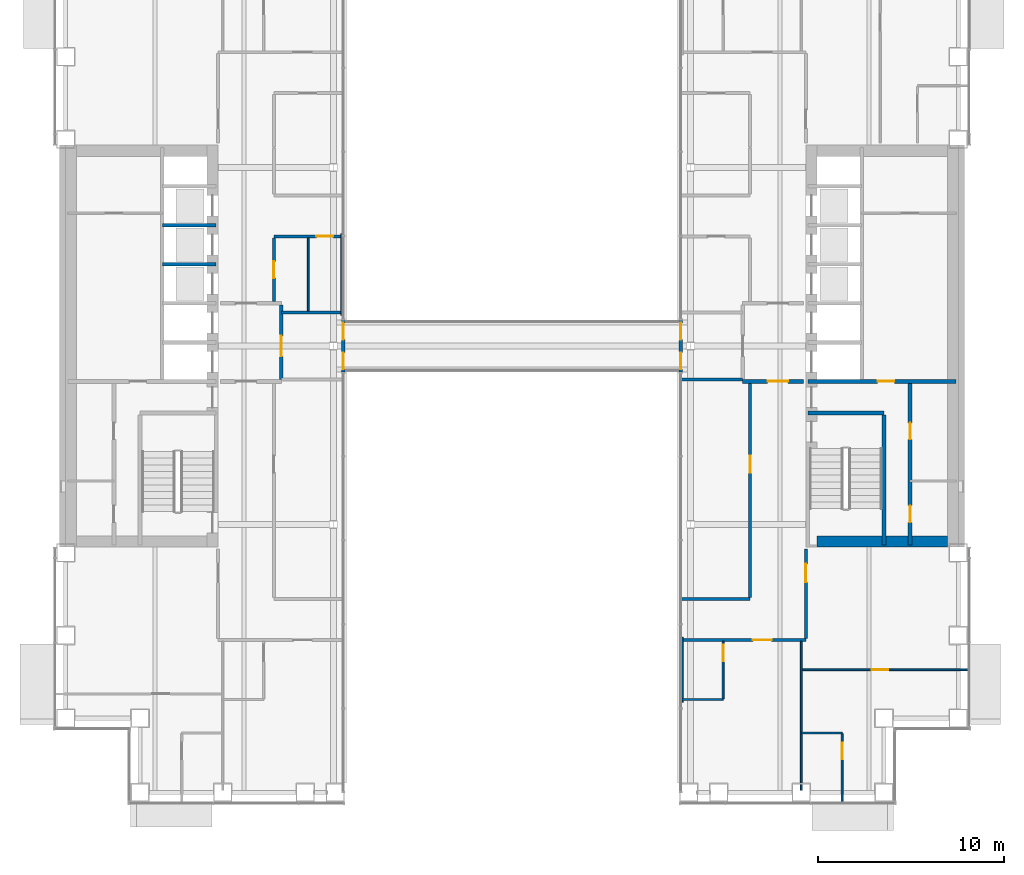
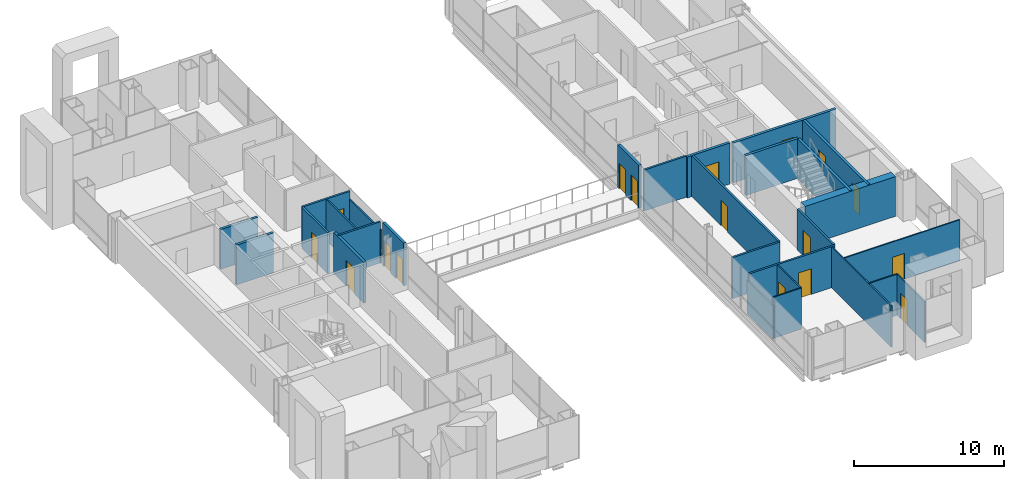
# One storey, part 15 of 21: 28 walls, 17 doors, 17 openings.
"""IFC4 building model written with IfcOpenShell, lengths in metres."""

from ifc_helpers import new_model, si_unit, direction, frame, frame_2d, origin, place, context, subcontext, project, spatial, rectangle, extrude, material, layer, layer_set, type_object, element, fill, save


model = new_model("IFC4")

# Units and contexts
model_context = context("Model", 3, precision=1e-05, world=origin(), true_north=direction((0.0, 1.0)))
body_context = subcontext(model_context, "Body", "Model", "MODEL_VIEW")
ifc_project = project(units=[si_unit("LENGTHUNIT", "METRE"), si_unit("AREAUNIT", "SQUARE_METRE"), si_unit("VOLUMEUNIT", "CUBIC_METRE"), si_unit("PLANEANGLEUNIT", "RADIAN"), si_unit("MASSUNIT", "GRAM", prefix="KILO")], contexts=[model_context])

# Site, building, storey
site_placement = place(None, origin())
site = spatial("IfcSite", under=ifc_project, at=site_placement, CompositionType="ELEMENT")
building_placement = place(site_placement, origin())
building = spatial("IfcBuilding", under=site, at=building_placement, Name="Cobrizo Arcos Hotel Tower", CompositionType="ELEMENT")
storey_placement = place(building_placement, frame((0.0, 0.0, 74.0)))
storey = spatial("IfcBuildingStorey", under=building, at=storey_placement, Name="L17", CompositionType="ELEMENT", Elevation=74.0)

# Wall, opening, door
ifc_material_1 = material(Name="Gypsum board partition")
ifc_layer_1 = layer(ifc_material_1, 0.14990234375)
ifc_layer_set_1 = layer_set([ifc_layer_1], Name="Corridor wall EI 60 150")
wall_type_1 = type_object("IfcWallType", Name="Corridor wall EI 60 150", PredefinedType="PARTITIONING", material=ifc_layer_set_1)
wall_1_placement = place(storey_placement, frame((9.14990234375, -15.800048828125, 0.0), z_axis=(0.0, 0.0, 1.0), x_axis=(1.0, 0.0, 0.0)))
wall_1 = element("IfcWall", 1, at=wall_1_placement, inside=storey, type_object=wall_type_1, Name="Partition 008", PredefinedType="PARTITIONING", context=body_context, shape_type="SweptSolid", body=[
    extrude(rectangle(XDim=6.650146484375, YDim=0.14990234375, at=frame_2d((3.3251953125, 0.0))), origin(), (0.0, 0.0, 1.0), 3.35009765625),
])
opening_1_placement = place(wall_1_placement, frame((3.802978515625, 0.0, 0.0)))
opening_1 = element("IfcOpeningElement", 2, at=opening_1_placement, cuts=wall_1, Name="Opening GD-03", PredefinedType="OPENING", context=body_context, shape_type="SweptSolid", body=[
    extrude(rectangle(XDim=1.0, YDim=2.10009765625, at=frame_2d((0.5, 1.050048828125))), frame((0.0, 0.0869140625, 0.0), z_axis=(0.0, -1.0, 0.0), x_axis=(1.0, 0.0, 0.0)), (0.0, 0.0, 1.0), 0.173828125),
])
ifc_material_2 = material(Name="Timber door leaf", Category="wood")
door_type_1 = type_object("IfcDoorType", Name="Guest room door FD30S 1000x2100", OperationType="SINGLE_SWING_LEFT", PredefinedType="DOOR", material=ifc_material_2)
door_1_placement = place(opening_1_placement, origin())
door_1 = element("IfcDoor", 3, at=door_1_placement, inside=storey, type_object=door_type_1, Name="Door GD-03", OperationType="SINGLE_SWING_LEFT", OverallHeight=2.10009765625, OverallWidth=1.0, PredefinedType="DOOR", context=body_context, shape_type="SweptSolid", body=[
    extrude(rectangle(XDim=1.0, YDim=2.10009765625, at=frame_2d((0.5, 1.050048828125))), frame((0.0, 0.02490234375, 0.0), z_axis=(0.0, -1.0, 0.0), x_axis=(1.0, 0.0, 0.0)), (0.0, 0.0, 1.0), 0.050048828125),
])
fill(opening_1, door_1)

# Walls
wall_2_placement = place(storey_placement, frame((9.1201171875, -13.60009765625, 0.0), z_axis=(0.0, 0.0, 1.0), x_axis=(1.0, 0.0, 0.0)))
element("IfcWall", 4, at=wall_2_placement, inside=storey, type_object=wall_type_1, Name="Partition 010", PredefinedType="PARTITIONING", context=body_context, shape_type="SweptSolid", body=[
    extrude(rectangle(XDim=3.679931640625, YDim=0.14990234375, at=frame_2d((1.83984375, 0.0))), origin(), (0.0, 0.0, 1.0), 3.35009765625),
])
wall_3_placement = place(storey_placement, frame((9.1201171875, -1.800048828125, 0.0), z_axis=(0.0, 0.0, 1.0), x_axis=(1.0, 0.0, 0.0)))
element("IfcWall", 5, at=wall_3_placement, inside=storey, type_object=wall_type_1, Name="Partition 020", PredefinedType="PARTITIONING", context=body_context, shape_type="SweptSolid", body=[
    extrude(rectangle(XDim=3.27978515625, YDim=0.14990234375, at=frame_2d((1.639892578125, 0.0))), origin(), (0.0, 0.0, 1.0), 3.35009765625),
])
wall_4_placement = place(storey_placement, frame((-12.39990234375, 1.800048828125, 0.0), z_axis=(0.0, 0.0, 1.0), x_axis=(1.0, 0.0, 0.0)))
element("IfcWall", 6, at=wall_4_placement, inside=storey, type_object=wall_type_1, Name="Partition 023", PredefinedType="PARTITIONING", context=body_context, shape_type="SweptSolid", body=[
    extrude(rectangle(XDim=3.25, YDim=0.14990234375, at=frame_2d((1.625, 0.0))), origin(), (0.0, 0.0, 1.0), 3.35009765625),
])

# Wall, opening, door
wall_5_placement = place(storey_placement, frame((-12.800048828125, 5.89990234375, 0.0), z_axis=(0.0, 0.0, 1.0), x_axis=(1.0, 0.0, 0.0)))
wall_5 = element("IfcWall", 7, at=wall_5_placement, inside=storey, type_object=wall_type_1, Name="Partition 031", PredefinedType="PARTITIONING", context=body_context, shape_type="SweptSolid", body=[
    extrude(rectangle(XDim=3.650146484375, YDim=0.14990234375, at=frame_2d((1.8251953125, 0.0))), origin(), (0.0, 0.0, 1.0), 3.35009765625),
])
opening_2_placement = place(wall_5_placement, frame((2.2880859375, 0.0, 0.0)))
opening_2 = element("IfcOpeningElement", 8, at=opening_2_placement, cuts=wall_5, Name="Opening ED-10", PredefinedType="OPENING", context=body_context, shape_type="SweptSolid", body=[
    extrude(rectangle(XDim=0.89990234375, YDim=2.10009765625, at=frame_2d((0.449951171875, 1.050048828125))), frame((0.0, 0.0869140625, 0.0), z_axis=(0.0, -1.0, 0.0), x_axis=(1.0, 0.0, 0.0)), (0.0, 0.0, 1.0), 0.173828125),
])
door_type_2 = type_object("IfcDoorType", Name="En-suite door 900x2100", OperationType="SINGLE_SWING_LEFT", PredefinedType="DOOR", material=ifc_material_2)
door_2_placement = place(opening_2_placement, origin())
door_2 = element("IfcDoor", 9, at=door_2_placement, inside=storey, type_object=door_type_2, Name="Door ED-10", OperationType="SINGLE_SWING_LEFT", OverallHeight=2.10009765625, OverallWidth=0.89990234375, PredefinedType="DOOR", context=body_context, shape_type="SweptSolid", body=[
    extrude(rectangle(XDim=0.89990234375, YDim=2.10009765625, at=frame_2d((0.449951171875, 1.050048828125))), frame((0.0, 0.02490234375, 0.0), z_axis=(0.0, -1.0, 0.0), x_axis=(1.0, 0.0, 0.0)), (0.0, 0.0, 1.0), 0.050048828125),
])
fill(opening_2, door_2)

wall_6_placement = place(storey_placement, frame((-12.800048828125, 2.39990234375, 0.0), z_axis=(0.0, 0.0, 1.0), x_axis=(0.0, 1.0, 0.0)))
wall_6 = element("IfcWall", 10, at=wall_6_placement, inside=storey, type_object=wall_type_1, Name="Partition 062", PredefinedType="PARTITIONING", context=body_context, shape_type="SweptSolid", body=[
    extrude(rectangle(XDim=3.425048828125, YDim=0.14990234375, at=frame_2d((1.71240234375, 0.0))), origin(), (0.0, 0.0, 1.0), 3.35009765625),
])
opening_3_placement = place(wall_6_placement, frame((1.25, 0.0, 0.0)))
opening_3 = element("IfcOpeningElement", 11, at=opening_3_placement, cuts=wall_6, Name="Opening ED-09", PredefinedType="OPENING", context=body_context, shape_type="SweptSolid", body=[
    extrude(rectangle(XDim=0.89990234375, YDim=2.10009765625, at=frame_2d((0.449951171875, 1.050048828125))), frame((0.0, 0.0869140625, 0.0), z_axis=(0.0, -1.0, 0.0), x_axis=(1.0, 0.0, 0.0)), (0.0, 0.0, 1.0), 0.173828125),
])
door_3_placement = place(opening_3_placement, origin())
door_3 = element("IfcDoor", 12, at=door_3_placement, inside=storey, type_object=door_type_2, Name="Door ED-09", OperationType="SINGLE_SWING_RIGHT", OverallHeight=2.10009765625, OverallWidth=0.89990234375, PredefinedType="DOOR", context=body_context, shape_type="SweptSolid", body=[
    extrude(rectangle(XDim=0.89990234375, YDim=2.10009765625, at=frame_2d((0.449951171875, 1.050048828125))), frame((0.0, 0.02490234375, 0.0), z_axis=(0.0, -1.0, 0.0), x_axis=(1.0, 0.0, 0.0)), (0.0, 0.0, 1.0), 0.050048828125),
])
fill(opening_3, door_3)

wall_7_placement = place(storey_placement, frame((12.800048828125, -13.52490234375, 0.0), z_axis=(0.0, 0.0, 1.0), x_axis=(0.0, 1.0, 0.0)))
wall_7 = element("IfcWall", 13, at=wall_7_placement, inside=storey, type_object=wall_type_1, Name="Partition 073", PredefinedType="PARTITIONING", context=body_context, shape_type="SweptSolid", body=[
    extrude(rectangle(XDim=11.52490234375, YDim=0.14990234375, at=frame_2d((5.762451171875, 0.0))), origin(), (0.0, 0.0, 1.0), 3.35009765625),
])
opening_4_placement = place(wall_7_placement, frame((6.72509765625, 0.0, 0.0)))
opening_4 = element("IfcOpeningElement", 14, at=opening_4_placement, cuts=wall_7, Name="Opening RD-16", PredefinedType="OPENING", context=body_context, shape_type="SweptSolid", body=[
    extrude(rectangle(XDim=0.89990234375, YDim=2.10009765625, at=frame_2d((0.449951171875, 1.050048828125))), frame((0.0, 0.0869140625, 0.0), z_axis=(0.0, -1.0, 0.0), x_axis=(1.0, 0.0, 0.0)), (0.0, 0.0, 1.0), 0.173828125),
])
door_type_3 = type_object("IfcDoorType", Name="Room door FD30 900x2100", OperationType="SINGLE_SWING_LEFT", PredefinedType="DOOR", material=ifc_material_2)
door_4_placement = place(opening_4_placement, origin())
door_4 = element("IfcDoor", 15, at=door_4_placement, inside=storey, type_object=door_type_3, Name="Door RD-16", OperationType="SINGLE_SWING_LEFT", OverallHeight=2.10009765625, OverallWidth=0.89990234375, PredefinedType="DOOR", context=body_context, shape_type="SweptSolid", body=[
    extrude(rectangle(XDim=0.89990234375, YDim=2.10009765625, at=frame_2d((0.449951171875, 1.050048828125))), frame((0.0, 0.02490234375, 0.0), z_axis=(0.0, -1.0, 0.0), x_axis=(1.0, 0.0, 0.0)), (0.0, 0.0, 1.0), 0.050048828125),
])
fill(opening_4, door_4)

wall_8_placement = place(storey_placement, frame((15.800048828125, -15.72509765625, 0.0), z_axis=(0.0, 0.0, 1.0), x_axis=(0.0, 1.0, 0.0)))
wall_8 = element("IfcWall", 16, at=wall_8_placement, inside=storey, type_object=wall_type_1, Name="Partition 079", PredefinedType="PARTITIONING", context=body_context, shape_type="SweptSolid", body=[
    extrude(rectangle(XDim=4.80517578125, YDim=0.14990234375, at=frame_2d((2.402587890625, 0.0))), origin(), (0.0, 0.0, 1.0), 3.35009765625),
])
opening_5_placement = place(wall_8_placement, frame((3.02490234375, 0.0, 0.0)))
opening_5 = element("IfcOpeningElement", 17, at=opening_5_placement, cuts=wall_8, Name="Opening GD-07", PredefinedType="OPENING", context=body_context, shape_type="SweptSolid", body=[
    extrude(rectangle(XDim=1.0, YDim=2.10009765625, at=frame_2d((0.5, 1.050048828125))), frame((0.0, 0.0869140625, 0.0), z_axis=(0.0, -1.0, 0.0), x_axis=(1.0, 0.0, 0.0)), (0.0, 0.0, 1.0), 0.173828125),
])
door_5_placement = place(opening_5_placement, origin())
door_5 = element("IfcDoor", 18, at=door_5_placement, inside=storey, type_object=door_type_1, Name="Door GD-07", OperationType="SINGLE_SWING_LEFT", OverallHeight=2.10009765625, OverallWidth=1.0, PredefinedType="DOOR", context=body_context, shape_type="SweptSolid", body=[
    extrude(rectangle(XDim=1.0, YDim=2.10009765625, at=frame_2d((0.5, 1.050048828125))), frame((0.0, 0.02490234375, 0.0), z_axis=(0.0, -1.0, 0.0), x_axis=(1.0, 0.0, 0.0)), (0.0, 0.0, 1.0), 0.050048828125),
])
fill(opening_5, door_5)

# Wall, openings, doors
ifc_material_3 = material(Name="Aluminium 6063-T6 anodised pale", Category="aluminium")
ifc_layer_2 = layer(ifc_material_3, 0.199951171875)
ifc_layer_set_2 = layer_set([ifc_layer_2], Name="EW-4 sky bridge door frame wall")
wall_type_2 = type_object("IfcWallType", Name="EW-4 sky bridge door frame wall", PredefinedType="SOLIDWALL", material=ifc_layer_set_2)
wall_9_placement = place(storey_placement, frame((9.074951171875, -1.39990234375, 0.0), z_axis=(0.0, 0.0, 1.0), x_axis=(0.0, 1.0, 0.0)))
wall_9 = element("IfcWall", 19, at=wall_9_placement, inside=storey, type_object=wall_type_2, Name="Sky bridge door wall A E", PredefinedType="SOLIDWALL", context=body_context, shape_type="SweptSolid", body=[
    extrude(rectangle(XDim=2.7998046875, YDim=0.199951171875, at=frame_2d((1.39990234375, 0.0))), origin(), (0.0, 0.0, 1.0), 3.5),
])
opening_6_placement = place(wall_9_placement, frame((0.14990234375, 0.0, 0.0)))
opening_6 = element("IfcOpeningElement", 20, at=opening_6_placement, cuts=wall_9, Name="Opening E-32", PredefinedType="OPENING", context=body_context, shape_type="SweptSolid", body=[
    extrude(rectangle(XDim=0.89990234375, YDim=2.10009765625, at=frame_2d((0.449951171875, 1.050048828125))), frame((0.0, 0.112060546875, 0.0), z_axis=(0.0, -1.0, 0.0), x_axis=(1.0, 0.0, 0.0)), (0.0, 0.0, 1.0), 0.223876953125),
])
opening_7_placement = place(wall_9_placement, frame((1.75, 0.0, 0.0)))
opening_7 = element("IfcOpeningElement", 21, at=opening_7_placement, cuts=wall_9, Name="Opening E-33", PredefinedType="OPENING", context=body_context, shape_type="SweptSolid", body=[
    extrude(rectangle(XDim=0.89990234375, YDim=2.10009765625, at=frame_2d((0.449951171875, 1.050048828125))), frame((0.0, 0.112060546875, 0.0), z_axis=(0.0, -1.0, 0.0), x_axis=(1.0, 0.0, 0.0)), (0.0, 0.0, 1.0), 0.223876953125),
])
ifc_material_4 = material(Name="Aluminium 6063-T6 and clear laminated glass", Category="aluminium")
door_type_4 = type_object("IfcDoorType", Name="D-B2 sky bridge single door 900x2100", OperationType="SINGLE_SWING_LEFT", PredefinedType="DOOR", material=ifc_material_4)
door_6_placement = place(opening_6_placement, origin())
door_6 = element("IfcDoor", 22, at=door_6_placement, inside=storey, type_object=door_type_4, Name="Sky bridge door wall A E door E-32", OperationType="SINGLE_SWING_LEFT", OverallHeight=2.10009765625, OverallWidth=0.89990234375, PredefinedType="DOOR", context=body_context, shape_type="SweptSolid", body=[
    extrude(rectangle(XDim=0.89990234375, YDim=2.10009765625, at=frame_2d((0.449951171875, 1.050048828125))), frame((0.0, 0.02490234375, 0.0), z_axis=(0.0, -1.0, 0.0), x_axis=(1.0, 0.0, 0.0)), (0.0, 0.0, 1.0), 0.050048828125),
])
fill(opening_6, door_6)
door_7_placement = place(opening_7_placement, origin())
door_7 = element("IfcDoor", 23, at=door_7_placement, inside=storey, type_object=door_type_4, Name="Sky bridge door wall A E door E-33", OperationType="SINGLE_SWING_RIGHT", OverallHeight=2.10009765625, OverallWidth=0.89990234375, PredefinedType="DOOR", context=body_context, shape_type="SweptSolid", body=[
    extrude(rectangle(XDim=0.89990234375, YDim=2.10009765625, at=frame_2d((0.449951171875, 1.050048828125))), frame((0.0, 0.02490234375, 0.0), z_axis=(0.0, -1.0, 0.0), x_axis=(1.0, 0.0, 0.0)), (0.0, 0.0, 1.0), 0.050048828125),
])
fill(opening_7, door_7)

wall_10_placement = place(storey_placement, frame((-9.074951171875, -1.39990234375, 0.0), z_axis=(0.0, 0.0, 1.0), x_axis=(0.0, 1.0, 0.0)))
wall_10 = element("IfcWall", 24, at=wall_10_placement, inside=storey, type_object=wall_type_2, Name="Sky bridge door wall A W", PredefinedType="SOLIDWALL", context=body_context, shape_type="SweptSolid", body=[
    extrude(rectangle(XDim=2.7998046875, YDim=0.199951171875, at=frame_2d((1.39990234375, 0.0))), origin(), (0.0, 0.0, 1.0), 3.5),
])
opening_8_placement = place(wall_10_placement, frame((0.14990234375, 0.0, 0.0)))
opening_8 = element("IfcOpeningElement", 25, at=opening_8_placement, cuts=wall_10, Name="Opening E-34", PredefinedType="OPENING", context=body_context, shape_type="SweptSolid", body=[
    extrude(rectangle(XDim=0.89990234375, YDim=2.10009765625, at=frame_2d((0.449951171875, 1.050048828125))), frame((0.0, 0.112060546875, 0.0), z_axis=(0.0, -1.0, 0.0), x_axis=(1.0, 0.0, 0.0)), (0.0, 0.0, 1.0), 0.223876953125),
])
opening_9_placement = place(wall_10_placement, frame((1.75, 0.0, 0.0)))
opening_9 = element("IfcOpeningElement", 26, at=opening_9_placement, cuts=wall_10, Name="Opening E-35", PredefinedType="OPENING", context=body_context, shape_type="SweptSolid", body=[
    extrude(rectangle(XDim=0.89990234375, YDim=2.10009765625, at=frame_2d((0.449951171875, 1.050048828125))), frame((0.0, 0.112060546875, 0.0), z_axis=(0.0, -1.0, 0.0), x_axis=(1.0, 0.0, 0.0)), (0.0, 0.0, 1.0), 0.223876953125),
])
door_8_placement = place(opening_8_placement, origin())
door_8 = element("IfcDoor", 27, at=door_8_placement, inside=storey, type_object=door_type_4, Name="Sky bridge door wall A W door E-34", OperationType="SINGLE_SWING_LEFT", OverallHeight=2.10009765625, OverallWidth=0.89990234375, PredefinedType="DOOR", context=body_context, shape_type="SweptSolid", body=[
    extrude(rectangle(XDim=0.89990234375, YDim=2.10009765625, at=frame_2d((0.449951171875, 1.050048828125))), frame((0.0, 0.02490234375, 0.0), z_axis=(0.0, -1.0, 0.0), x_axis=(1.0, 0.0, 0.0)), (0.0, 0.0, 1.0), 0.050048828125),
])
fill(opening_8, door_8)
door_9_placement = place(opening_9_placement, origin())
door_9 = element("IfcDoor", 28, at=door_9_placement, inside=storey, type_object=door_type_4, Name="Sky bridge door wall A W door E-35", OperationType="SINGLE_SWING_RIGHT", OverallHeight=2.10009765625, OverallWidth=0.89990234375, PredefinedType="DOOR", context=body_context, shape_type="SweptSolid", body=[
    extrude(rectangle(XDim=0.89990234375, YDim=2.10009765625, at=frame_2d((0.449951171875, 1.050048828125))), frame((0.0, 0.02490234375, 0.0), z_axis=(0.0, -1.0, 0.0), x_axis=(1.0, 0.0, 0.0)), (0.0, 0.0, 1.0), 0.050048828125),
])
fill(opening_9, door_9)

# Walls
ifc_layer_3 = layer(ifc_material_1, 0.10009765625)
ifc_layer_set_3 = layer_set([ifc_layer_3], Name="Partition EI 30 100")
wall_type_3 = type_object("IfcWallType", Name="Partition EI 30 100", PredefinedType="PARTITIONING", material=ifc_layer_set_3)
wall_11_placement = place(storey_placement, frame((15.550048828125, -20.800048828125, 0.0), z_axis=(0.0, 0.0, 1.0), x_axis=(1.0, 0.0, 0.0)))
element("IfcWall", 29, at=wall_11_placement, inside=storey, type_object=wall_type_3, Name="Partition 002", PredefinedType="PARTITIONING", context=body_context, shape_type="SweptSolid", body=[
    extrude(rectangle(XDim=2.199951171875, YDim=0.10009765625, at=frame_2d((1.10009765625, 0.0))), origin(), (0.0, 0.0, 1.0), 3.35009765625),
])
wall_12_placement = place(storey_placement, frame((9.14990234375, -19.0, 0.0), z_axis=(0.0, 0.0, 1.0), x_axis=(1.0, 0.0, 0.0)))
element("IfcWall", 30, at=wall_12_placement, inside=storey, type_object=wall_type_3, Name="Partition 004", PredefinedType="PARTITIONING", context=body_context, shape_type="SweptSolid", body=[
    extrude(rectangle(XDim=2.2001953125, YDim=0.10009765625, at=frame_2d((1.10009765625, 0.0))), origin(), (0.0, 0.0, 1.0), 3.35009765625),
])

# Wall, opening, door
wall_13_placement = place(storey_placement, frame((15.550048828125, -17.39990234375, 0.0), z_axis=(0.0, 0.0, 1.0), x_axis=(1.0, 0.0, 0.0)))
wall_13 = element("IfcWall", 31, at=wall_13_placement, inside=storey, type_object=wall_type_3, Name="Partition 006", PredefinedType="PARTITIONING", context=body_context, shape_type="SweptSolid", body=[
    extrude(rectangle(XDim=8.97998046875, YDim=0.10009765625, at=frame_2d((4.489990234375, 0.0))), origin(), (0.0, 0.0, 1.0), 3.35009765625),
])
opening_10_placement = place(wall_13_placement, frame((3.778076171875, 0.0, 0.0)))
opening_10 = element("IfcOpeningElement", 32, at=opening_10_placement, cuts=wall_13, Name="Opening RD-11", PredefinedType="OPENING", context=body_context, shape_type="SweptSolid", body=[
    extrude(rectangle(XDim=0.89990234375, YDim=2.10009765625, at=frame_2d((0.449951171875, 1.050048828125))), frame((0.0, 0.06201171875, 0.0), z_axis=(0.0, -1.0, 0.0), x_axis=(1.0, 0.0, 0.0)), (0.0, 0.0, 1.0), 0.1240234375),
])
door_10_placement = place(opening_10_placement, origin())
door_10 = element("IfcDoor", 33, at=door_10_placement, inside=storey, type_object=door_type_3, Name="Door RD-11", OperationType="SINGLE_SWING_LEFT", OverallHeight=2.10009765625, OverallWidth=0.89990234375, PredefinedType="DOOR", context=body_context, shape_type="SweptSolid", body=[
    extrude(rectangle(XDim=0.89990234375, YDim=2.10009765625, at=frame_2d((0.449951171875, 1.050048828125))), frame((0.0, 0.02490234375, 0.0), z_axis=(0.0, -1.0, 0.0), x_axis=(1.0, 0.0, 0.0)), (0.0, 0.0, 1.0), 0.050048828125),
])
fill(opening_10, door_10)

# Walls
wall_14_placement = place(storey_placement, frame((-10.949951171875, 1.875, 0.0), z_axis=(0.0, 0.0, 1.0), x_axis=(0.0, 1.0, 0.0)))
element("IfcWall", 34, at=wall_14_placement, inside=storey, type_object=wall_type_3, Name="Partition 066", PredefinedType="PARTITIONING", context=body_context, shape_type="SweptSolid", body=[
    extrude(rectangle(XDim=3.949951171875, YDim=0.10009765625, at=frame_2d((1.97509765625, 0.0))), origin(), (0.0, 0.0, 1.0), 3.35009765625),
])
wall_15_placement = place(storey_placement, frame((-9.14990234375, 1.659912109375, 0.0), z_axis=(0.0, 0.0, 1.0), x_axis=(0.0, 1.0, 0.0)))
element("IfcWall", 35, at=wall_15_placement, inside=storey, type_object=wall_type_3, Name="Partition 067", PredefinedType="PARTITIONING", context=body_context, shape_type="SweptSolid", body=[
    extrude(rectangle(XDim=4.380126953125, YDim=0.10009765625, at=frame_2d((2.18994140625, 0.0))), origin(), (0.0, 0.0, 1.0), 2.73291015625),
])
wall_16_placement = place(storey_placement, frame((9.14990234375, -19.139892578125, 0.0), z_axis=(0.0, 0.0, 1.0), x_axis=(0.0, 1.0, 0.0)))
element("IfcWall", 36, at=wall_16_placement, inside=storey, type_object=wall_type_3, Name="Partition 068", PredefinedType="PARTITIONING", context=body_context, shape_type="SweptSolid", body=[
    extrude(rectangle(XDim=3.47998046875, YDim=0.10009765625, at=frame_2d((1.739990234375, 0.0))), origin(), (0.0, 0.0, 1.0), 2.73291015625),
])

# Wall, opening, door
wall_17_placement = place(storey_placement, frame((11.35009765625, -18.949951171875, 0.0), z_axis=(0.0, 0.0, 1.0), x_axis=(0.0, 1.0, 0.0)))
wall_17 = element("IfcWall", 37, at=wall_17_placement, inside=storey, type_object=wall_type_3, Name="Partition 070", PredefinedType="PARTITIONING", context=body_context, shape_type="SweptSolid", body=[
    extrude(rectangle(XDim=3.074951171875, YDim=0.10009765625, at=frame_2d((1.53759765625, 0.0))), origin(), (0.0, 0.0, 1.0), 3.35009765625),
])
opening_11_placement = place(wall_17_placement, frame((1.99609375, 0.0, 0.0)))
opening_11 = element("IfcOpeningElement", 38, at=opening_11_placement, cuts=wall_17, Name="Opening ED-03", PredefinedType="OPENING", context=body_context, shape_type="SweptSolid", body=[
    extrude(rectangle(XDim=0.89990234375, YDim=2.10009765625, at=frame_2d((0.449951171875, 1.050048828125))), frame((0.0, 0.06201171875, 0.0), z_axis=(0.0, -1.0, 0.0), x_axis=(1.0, 0.0, 0.0)), (0.0, 0.0, 1.0), 0.1240234375),
])
door_11_placement = place(opening_11_placement, origin())
door_11 = element("IfcDoor", 39, at=door_11_placement, inside=storey, type_object=door_type_2, Name="Door ED-03", OperationType="SINGLE_SWING_RIGHT", OverallHeight=2.10009765625, OverallWidth=0.89990234375, PredefinedType="DOOR", context=body_context, shape_type="SweptSolid", body=[
    extrude(rectangle(XDim=0.89990234375, YDim=2.10009765625, at=frame_2d((0.449951171875, 1.050048828125))), frame((0.0, 0.02490234375, 0.0), z_axis=(0.0, -1.0, 0.0), x_axis=(1.0, 0.0, 0.0)), (0.0, 0.0, 1.0), 0.050048828125),
])
fill(opening_11, door_11)

# Wall
wall_18_placement = place(storey_placement, frame((15.550048828125, -23.8798828125, 0.0), z_axis=(0.0, 0.0, 1.0), x_axis=(0.0, 1.0, 0.0)))
element("IfcWall", 40, at=wall_18_placement, inside=storey, type_object=wall_type_3, Name="Partition 077", PredefinedType="PARTITIONING", context=body_context, shape_type="SweptSolid", body=[
    extrude(rectangle(XDim=8.0048828125, YDim=0.10009765625, at=frame_2d((4.00244140625, 0.0))), origin(), (0.0, 0.0, 1.0), 3.35009765625),
])

# Wall, opening, door
wall_19_placement = place(storey_placement, frame((17.75, -24.530029296875, 0.0), z_axis=(0.0, 0.0, 1.0), x_axis=(0.0, 1.0, 0.0)))
wall_19 = element("IfcWall", 41, at=wall_19_placement, inside=storey, type_object=wall_type_3, Name="Partition 081", PredefinedType="PARTITIONING", context=body_context, shape_type="SweptSolid", body=[
    extrude(rectangle(XDim=3.679931640625, YDim=0.10009765625, at=frame_2d((1.83984375, 0.0))), origin(), (0.0, 0.0, 1.0), 3.35009765625),
])
opening_12_placement = place(wall_19_placement, frame((2.320068359375, 0.0, 0.0)))
opening_12 = element("IfcOpeningElement", 42, at=opening_12_placement, cuts=wall_19, Name="Opening ED-07", PredefinedType="OPENING", context=body_context, shape_type="SweptSolid", body=[
    extrude(rectangle(XDim=0.89990234375, YDim=2.10009765625, at=frame_2d((0.449951171875, 1.050048828125))), frame((0.0, 0.06201171875, 0.0), z_axis=(0.0, -1.0, 0.0), x_axis=(1.0, 0.0, 0.0)), (0.0, 0.0, 1.0), 0.1240234375),
])
door_12_placement = place(opening_12_placement, origin())
door_12 = element("IfcDoor", 43, at=door_12_placement, inside=storey, type_object=door_type_2, Name="Door ED-07", OperationType="SINGLE_SWING_LEFT", OverallHeight=2.10009765625, OverallWidth=0.89990234375, PredefinedType="DOOR", context=body_context, shape_type="SweptSolid", body=[
    extrude(rectangle(XDim=0.89990234375, YDim=2.10009765625, at=frame_2d((0.449951171875, 1.050048828125))), frame((0.0, 0.02490234375, 0.0), z_axis=(0.0, -1.0, 0.0), x_axis=(1.0, 0.0, 0.0)), (0.0, 0.0, 1.0), 0.050048828125),
])
fill(opening_12, door_12)

# Wall
ifc_material_5 = material(Name="Concrete f'c 60 MPa", Category="concrete")
ifc_layer_4 = layer(ifc_material_5, 0.60009765625)
ifc_layer_set_4 = layer_set([ifc_layer_4], Name="RC core wall 600 f'c 60")
wall_type_4 = type_object("IfcWallType", Name="RC core wall 600 f'c 60", PredefinedType="SHEAR", material=ifc_layer_set_4)
wall_20_placement = place(storey_placement, frame((16.39990234375, -10.5, 0.0), z_axis=(0.0, 0.0, 1.0), x_axis=(1.0, 0.0, 0.0)))
element("IfcWall", 44, at=wall_20_placement, inside=storey, type_object=wall_type_4, Name="Core wall CW1, east core, south end, L17", PredefinedType="SHEAR", context=body_context, shape_type="SweptSolid", body=[
    extrude(rectangle(XDim=7.0, YDim=0.60009765625, at=frame_2d((3.5, 0.0))), origin(), (0.0, 0.0, 1.0), 3.25),
])

# Wall, opening, door
ifc_layer_5 = layer(ifc_material_1, 0.199951171875)
ifc_layer_set_5 = layer_set([ifc_layer_5], Name="Shaft wall EI 120 200")
wall_type_5 = type_object("IfcWallType", Name="Shaft wall EI 120 200", PredefinedType="PARTITIONING", material=ifc_layer_set_5)
wall_21_placement = place(storey_placement, frame((12.39990234375, -1.89990234375, 0.0), z_axis=(0.0, 0.0, 1.0), x_axis=(1.0, 0.0, 0.0)))
wall_21 = element("IfcWall", 45, at=wall_21_placement, inside=storey, type_object=wall_type_5, Name="Partition 017", PredefinedType="PARTITIONING", context=body_context, shape_type="SweptSolid", body=[
    extrude(rectangle(XDim=3.280029296875, YDim=0.199951171875, at=frame_2d((1.64013671875, 0.0))), origin(), (0.0, 0.0, 1.0), 3.35009765625),
])
opening_13_placement = place(wall_21_placement, frame((1.340087890625, 0.0, 0.0)))
opening_13 = element("IfcOpeningElement", 46, at=opening_13_placement, cuts=wall_21, Name="Opening FD-07", PredefinedType="OPENING", context=body_context, shape_type="SweptSolid", body=[
    extrude(rectangle(XDim=1.10009765625, YDim=2.10009765625, at=frame_2d((0.550048828125, 1.050048828125))), frame((0.0, 0.112060546875, 0.0), z_axis=(0.0, -1.0, 0.0), x_axis=(1.0, 0.0, 0.0)), (0.0, 0.0, 1.0), 0.223876953125),
])
ifc_material_6 = material(Name="Steel door leaf", Category="steel")
door_type_5 = type_object("IfcDoorType", Name="Fire door FD60 1100x2100", OperationType="SINGLE_SWING_LEFT", PredefinedType="DOOR", material=ifc_material_6)
door_13_placement = place(opening_13_placement, origin())
door_13 = element("IfcDoor", 47, at=door_13_placement, inside=storey, type_object=door_type_5, Name="Door FD-07", OperationType="SINGLE_SWING_RIGHT", OverallHeight=2.10009765625, OverallWidth=1.10009765625, PredefinedType="DOOR", context=body_context, shape_type="SweptSolid", body=[
    extrude(rectangle(XDim=1.10009765625, YDim=2.10009765625, at=frame_2d((0.550048828125, 1.050048828125))), frame((0.0, 0.02490234375, 0.0), z_axis=(0.0, -1.0, 0.0), x_axis=(1.0, 0.0, 0.0)), (0.0, 0.0, 1.0), 0.050048828125),
])
fill(opening_13, door_13)

wall_22_placement = place(storey_placement, frame((15.919921875, -1.89990234375, 0.0), z_axis=(0.0, 0.0, 1.0), x_axis=(1.0, 0.0, 0.0)))
wall_22 = element("IfcWall", 48, at=wall_22_placement, inside=storey, type_object=wall_type_5, Name="Partition 018", PredefinedType="PARTITIONING", context=body_context, shape_type="SweptSolid", body=[
    extrude(rectangle(XDim=7.9599609375, YDim=0.199951171875, at=frame_2d((3.97998046875, 0.0))), origin(), (0.0, 0.0, 1.0), 3.25),
])
opening_14_placement = place(wall_22_placement, frame((3.739990234375, 0.0, 0.0)))
opening_14 = element("IfcOpeningElement", 49, at=opening_14_placement, cuts=wall_22, Name="Opening RD-07", PredefinedType="OPENING", context=body_context, shape_type="SweptSolid", body=[
    extrude(rectangle(XDim=0.89990234375, YDim=2.10009765625, at=frame_2d((0.449951171875, 1.050048828125))), frame((0.0, 0.112060546875, 0.0), z_axis=(0.0, -1.0, 0.0), x_axis=(1.0, 0.0, 0.0)), (0.0, 0.0, 1.0), 0.223876953125),
])
door_14_placement = place(opening_14_placement, origin())
door_14 = element("IfcDoor", 50, at=door_14_placement, inside=storey, type_object=door_type_3, Name="Door RD-07", OperationType="SINGLE_SWING_LEFT", OverallHeight=2.10009765625, OverallWidth=0.89990234375, PredefinedType="DOOR", context=body_context, shape_type="SweptSolid", body=[
    extrude(rectangle(XDim=0.89990234375, YDim=2.10009765625, at=frame_2d((0.449951171875, 1.050048828125))), frame((0.0, 0.02490234375, 0.0), z_axis=(0.0, -1.0, 0.0), x_axis=(1.0, 0.0, 0.0)), (0.0, 0.0, 1.0), 0.050048828125),
])
fill(opening_14, door_14)

# Walls
for number, where, z_axis, x_axis, name in (
    (51, (-18.800048828125, 4.39990234375, 0.0), (0.0, 0.0, 1.0), (1.0, 0.0, 0.0), "Partition 029"),
    (52, (-18.800048828125, 6.5, 0.0), (0.0, 0.0, 1.0), (1.0, 0.0, 0.0), "Partition 033"),
):
    element("IfcWall", number, at=place(storey_placement, frame(where, z_axis=z_axis, x_axis=x_axis)), inside=storey, type_object=wall_type_5, Name=name, PredefinedType="PARTITIONING", context=body_context, shape_type="SweptSolid", body=[
        extrude(rectangle(XDim=2.880126953125, YDim=0.199951171875, at=frame_2d((1.43994140625, 0.0))), origin(), (0.0, 0.0, 1.0), 3.25),
    ])

# Wall, opening, door
wall_23_placement = place(storey_placement, frame((-12.39990234375, -1.800048828125, 0.0), z_axis=(0.0, 0.0, 1.0), x_axis=(0.0, 1.0, 0.0)))
wall_23 = element("IfcWall", 53, at=wall_23_placement, inside=storey, type_object=wall_type_5, Name="Partition 065", PredefinedType="PARTITIONING", context=body_context, shape_type="SweptSolid", body=[
    extrude(rectangle(XDim=4.0, YDim=0.199951171875, at=frame_2d((2.0, 0.0))), origin(), (0.0, 0.0, 1.0), 3.35009765625),
])
opening_15_placement = place(wall_23_placement, frame((1.25, 0.0, 0.0)))
opening_15 = element("IfcOpeningElement", 54, at=opening_15_placement, cuts=wall_23, Name="Opening FD-02", PredefinedType="OPENING", context=body_context, shape_type="SweptSolid", body=[
    extrude(rectangle(XDim=1.10009765625, YDim=2.10009765625, at=frame_2d((0.550048828125, 1.050048828125))), frame((0.0, 0.112060546875, 0.0), z_axis=(0.0, -1.0, 0.0), x_axis=(1.0, 0.0, 0.0)), (0.0, 0.0, 1.0), 0.223876953125),
])
door_15_placement = place(opening_15_placement, origin())
door_15 = element("IfcDoor", 55, at=door_15_placement, inside=storey, type_object=door_type_5, Name="Door FD-02", OperationType="SINGLE_SWING_LEFT", OverallHeight=2.10009765625, OverallWidth=1.10009765625, PredefinedType="DOOR", context=body_context, shape_type="SweptSolid", body=[
    extrude(rectangle(XDim=1.10009765625, YDim=2.10009765625, at=frame_2d((0.550048828125, 1.050048828125))), frame((0.0, 0.02490234375, 0.0), z_axis=(0.0, -1.0, 0.0), x_axis=(1.0, 0.0, 0.0)), (0.0, 0.0, 1.0), 0.050048828125),
])
fill(opening_15, door_15)

# Wall, openings, doors
wall_24_placement = place(storey_placement, frame((21.39990234375, -10.679931640625, 0.0), z_axis=(0.0, 0.0, 1.0), x_axis=(0.0, 1.0, 0.0)))
wall_24 = element("IfcWall", 56, at=wall_24_placement, inside=storey, type_object=wall_type_5, Name="Partition 085", PredefinedType="PARTITIONING", context=body_context, shape_type="SweptSolid", body=[
    extrude(rectangle(XDim=8.679931640625, YDim=0.199951171875, at=frame_2d((4.33984375, 0.0))), origin(), (0.0, 0.0, 1.0), 3.25),
])
opening_16_placement = place(wall_24_placement, frame((1.2099609375, 0.0, 0.0)))
opening_16 = element("IfcOpeningElement", 57, at=opening_16_placement, cuts=wall_24, Name="Opening RD-05", PredefinedType="OPENING", context=body_context, shape_type="SweptSolid", body=[
    extrude(rectangle(XDim=0.89990234375, YDim=2.10009765625, at=frame_2d((0.449951171875, 1.050048828125))), frame((0.0, 0.112060546875, 0.0), z_axis=(0.0, -1.0, 0.0), x_axis=(1.0, 0.0, 0.0)), (0.0, 0.0, 1.0), 0.223876953125),
])
opening_17_placement = place(wall_24_placement, frame((5.659912109375, 0.0, 0.0)))
opening_17 = element("IfcOpeningElement", 58, at=opening_17_placement, cuts=wall_24, Name="Opening RD-06", PredefinedType="OPENING", context=body_context, shape_type="SweptSolid", body=[
    extrude(rectangle(XDim=0.89990234375, YDim=2.10009765625, at=frame_2d((0.449951171875, 1.050048828125))), frame((0.0, 0.112060546875, 0.0), z_axis=(0.0, -1.0, 0.0), x_axis=(1.0, 0.0, 0.0)), (0.0, 0.0, 1.0), 0.223876953125),
])
door_16_placement = place(opening_16_placement, origin())
door_16 = element("IfcDoor", 59, at=door_16_placement, inside=storey, type_object=door_type_3, Name="Door RD-05", OperationType="SINGLE_SWING_RIGHT", OverallHeight=2.10009765625, OverallWidth=0.89990234375, PredefinedType="DOOR", context=body_context, shape_type="SweptSolid", body=[
    extrude(rectangle(XDim=0.89990234375, YDim=2.10009765625, at=frame_2d((0.449951171875, 1.050048828125))), frame((0.0, 0.02490234375, 0.0), z_axis=(0.0, -1.0, 0.0), x_axis=(1.0, 0.0, 0.0)), (0.0, 0.0, 1.0), 0.050048828125),
])
fill(opening_16, door_16)
door_17_placement = place(opening_17_placement, origin())
door_17 = element("IfcDoor", 60, at=door_17_placement, inside=storey, type_object=door_type_3, Name="Door RD-06", OperationType="SINGLE_SWING_RIGHT", OverallHeight=2.10009765625, OverallWidth=0.89990234375, PredefinedType="DOOR", context=body_context, shape_type="SweptSolid", body=[
    extrude(rectangle(XDim=0.89990234375, YDim=2.10009765625, at=frame_2d((0.449951171875, 1.050048828125))), frame((0.0, 0.02490234375, 0.0), z_axis=(0.0, -1.0, 0.0), x_axis=(1.0, 0.0, 0.0)), (0.0, 0.0, 1.0), 0.050048828125),
])
fill(opening_17, door_17)

# Walls
ifc_material_7 = material(Name="Concrete f'c 40 MPa", Category="concrete")
ifc_layer_6 = layer(ifc_material_7, 0.199951171875)
ifc_layer_set_6 = layer_set([ifc_layer_6], Name="Stair shaft wall 200")
wall_type_6 = type_object("IfcWallType", Name="Stair shaft wall 200", PredefinedType="SHEAR", material=ifc_layer_set_6)
wall_25_placement = place(storey_placement, frame((15.919921875, -3.60009765625, 0.0), z_axis=(0.0, 0.0, 1.0), x_axis=(1.0, 0.0, 0.0)))
element("IfcWall", 61, at=wall_25_placement, inside=storey, type_object=wall_type_6, Name="Stair shaft wall E", PredefinedType="SHEAR", context=body_context, shape_type="SweptSolid", body=[
    extrude(rectangle(XDim=4.080078125, YDim=0.199951171875, at=frame_2d((2.0400390625, 0.0))), origin(), (0.0, 0.0, 1.0), 3.25),
])
wall_26_placement = place(storey_placement, frame((20.0, -10.679931640625, 0.0), z_axis=(0.0, 0.0, 1.0), x_axis=(0.0, 1.0, 0.0)))
element("IfcWall", 62, at=wall_26_placement, inside=storey, type_object=wall_type_6, Name="Stair shaft wall E", PredefinedType="SHEAR", context=body_context, shape_type="SweptSolid", body=[
    extrude(rectangle(XDim=6.97998046875, YDim=0.199951171875, at=frame_2d((3.489990234375, 0.0))), origin(), (0.0, 0.0, 1.0), 3.25),
])

save(model, "model.ifc")
